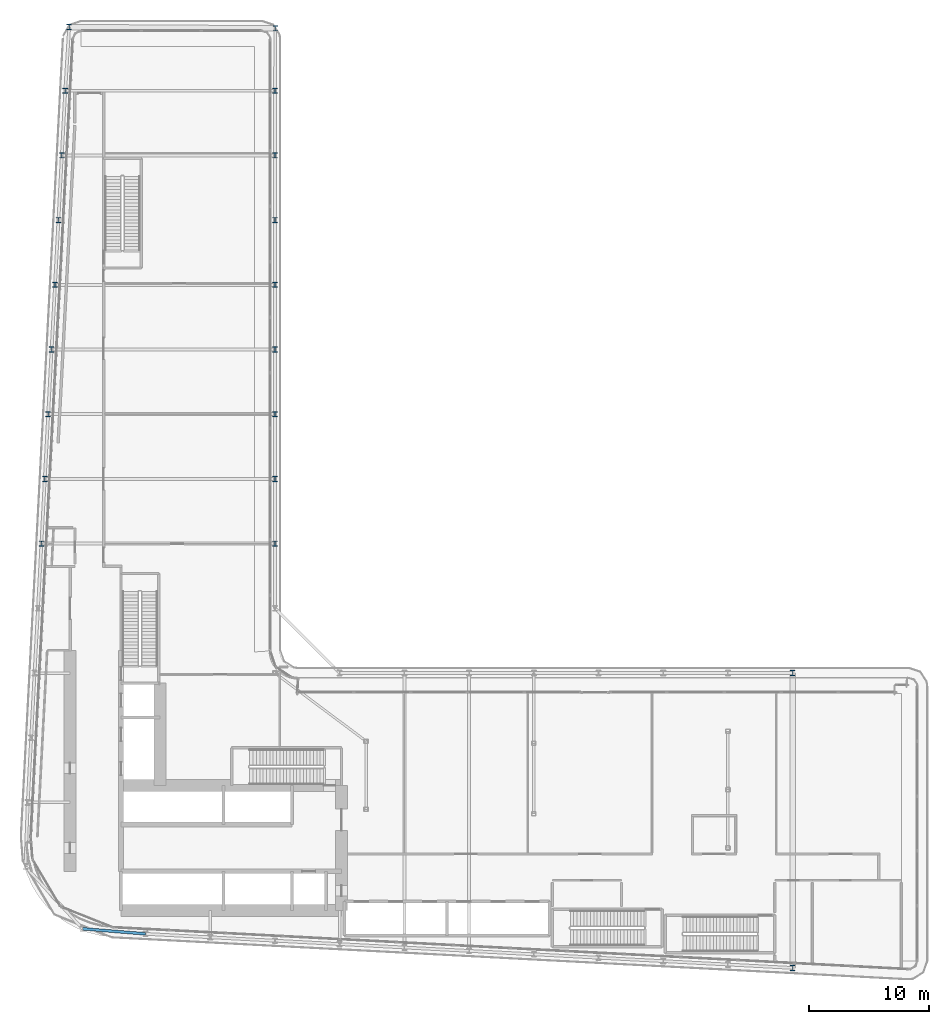
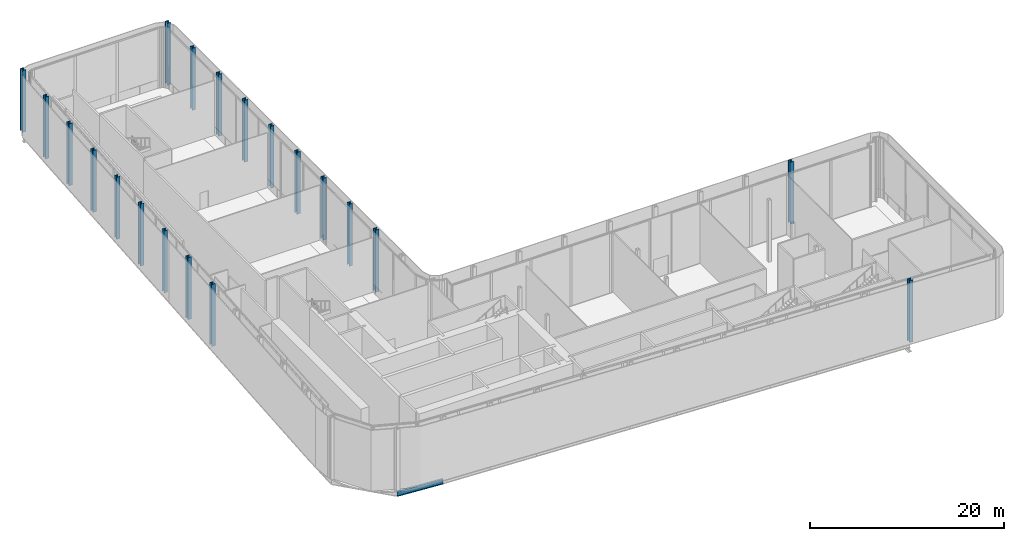
# One storey, part 3 of 36: 20 columns, 1 beam.
"""IFC4 building model written with IfcOpenShell, lengths in metres."""

from ifc_helpers import new_model, si_unit, direction, frame, origin, origin_2d, place, context, subcontext, project, spatial, i_section, extrude, material, material_profile, profile_set, type_object, element, save


model = new_model("IFC4")

# Units and contexts
model_context = context("Model", 3, precision=1e-05, world=origin(), true_north=direction((0.0, 1.0)))
body_context = subcontext(model_context, "Body", "Model", "MODEL_VIEW")
ifc_project = project(units=[si_unit("LENGTHUNIT", "METRE"), si_unit("AREAUNIT", "SQUARE_METRE"), si_unit("VOLUMEUNIT", "CUBIC_METRE"), si_unit("PLANEANGLEUNIT", "RADIAN"), si_unit("MASSUNIT", "GRAM", prefix="KILO")], contexts=[model_context])

# Site, building, storey
site_placement = place(None, origin())
site = spatial("IfcSite", under=ifc_project, at=site_placement, CompositionType="ELEMENT")
building_placement = place(site_placement, origin())
building = spatial("IfcBuilding", under=site, at=building_placement, Name="Kheshtan School and Residences Tower", CompositionType="ELEMENT")
storey_placement = place(building_placement, frame((0.0, 0.0, 81.199951171875)))
storey = spatial("IfcBuildingStorey", under=building, at=storey_placement, Name="L19", CompositionType="ELEMENT", Elevation=81.199951171875)

# Columns
ifc_material = material(Name="Steel ASTM A992 Grade 50", Category="steel")
ifc_material_profile_1 = material_profile(ifc_material, i_section(OverallWidth=0.424072265625, OverallDepth=0.47412109375, WebThickness=0.047607421875, FlangeThickness=0.0771484375, FilletRadius=0.01416015625, at=origin_2d()), Name="W360x634")
ifc_profile_set_1 = profile_set([ifc_material_profile_1], Name="Steel ASTM A992 Grade 50")
column_type = type_object("IfcColumnType", Name="Column C1 W360x634 ASTM A992 Grade 50", PredefinedType="COLUMN", material=ifc_profile_set_1)
for number, where, z_axis, x_axis, name in (
    (1, (90.800048828125, 20.989990234375, 0.0), (0.0, 0.0, 1.0), (1.0, 0.0, 0.0), "Column C006"),
    (2, (90.800048828125, 45.60009765625, 0.0), (0.0, 0.0, 1.0), (1.0, 0.0, 0.0), "Column C068"),
    (3, (28.10595703125, 56.39990234375, 0.0), (0.0, 0.0, 1.0), (1.0, 0.0, 0.0), "Column C080"),
    (4, (47.60009765625, 56.39990234375, 0.0), (0.0, 0.0, 1.0), (1.0, 0.0, 0.0), "Column C081"),
    (5, (28.389892578125, 61.800048828125, 0.0), (0.0, 0.0, 1.0), (1.0, 0.0, 0.0), "Column C082"),
    (6, (47.60009765625, 61.800048828125, 0.0), (0.0, 0.0, 1.0), (1.0, 0.0, 0.0), "Column C083"),
    (7, (28.674072265625, 67.199951171875, 0.0), (0.0, 0.0, 1.0), (1.0, 0.0, 0.0), "Column C084"),
    (8, (47.60009765625, 67.199951171875, 0.0), (0.0, 0.0, 1.0), (1.0, 0.0, 0.0), "Column C085"),
    (9, (28.9580078125, 72.60009765625, 0.0), (0.0, 0.0, 1.0), (1.0, 0.0, 0.0), "Column C086"),
    (10, (47.60009765625, 72.60009765625, 0.0), (0.0, 0.0, 1.0), (1.0, 0.0, 0.0), "Column C087"),
    (11, (29.242919921875, 78.0, 0.0), (0.0, 0.0, 1.0), (1.0, 0.0, 0.0), "Column C088"),
    (12, (47.60009765625, 78.0, 0.0), (0.0, 0.0, 1.0), (1.0, 0.0, 0.0), "Column C089"),
    (13, (29.527099609375, 83.39990234375, 0.0), (0.0, 0.0, 1.0), (1.0, 0.0, 0.0), "Column C090"),
    (14, (47.60009765625, 83.39990234375, 0.0), (0.0, 0.0, 1.0), (1.0, 0.0, 0.0), "Column C091"),
    (15, (29.81103515625, 88.800048828125, 0.0), (0.0, 0.0, 1.0), (1.0, 0.0, 0.0), "Column C098"),
    (16, (47.60009765625, 88.800048828125, 0.0), (0.0, 0.0, 1.0), (1.0, 0.0, 0.0), "Column C099"),
    (17, (30.094970703125, 94.199951171875, 0.0), (0.0, 0.0, 1.0), (1.0, 0.0, 0.0), "Column C106"),
    (18, (47.60009765625, 94.199951171875, 0.0), (0.0, 0.0, 1.0), (1.0, 0.0, 0.0), "Column C107"),
    (19, (47.6298828125, 99.402099609375, 0.0), (0.0, 0.0, 1.0), (1.0, 0.0, 0.0), "Column C113"),
    (20, (30.424072265625, 99.510009765625, 0.0), (0.0, 0.0, 1.0), (1.0, 0.0, 0.0), "Column C121"),
):
    element("IfcColumn", number, at=place(storey_placement, frame(where, z_axis=z_axis, x_axis=x_axis)), inside=storey, type_object=column_type, Name=name, PredefinedType="COLUMN", context=body_context, shape_type="SweptSolid", body=[
        extrude(i_section(OverallWidth=0.424072265625, OverallDepth=0.47412109375, WebThickness=0.047607421875, FlangeThickness=0.0771484375, FilletRadius=0.01416015625, at=origin_2d()), origin(), (0.0, 0.0, 1.0), 7.800048828125),
    ])

# Beam
ifc_material_profile_2 = material_profile(ifc_material, i_section(OverallWidth=0.22998046875, OverallDepth=0.616943359375, WebThickness=0.01318359375, FlangeThickness=0.022216796875, FilletRadius=0.0185546875, at=origin_2d()), Name="W610x140")
ifc_profile_set_2 = profile_set([ifc_material_profile_2], Name="Steel ASTM A992 Grade 50")
beam_type = type_object("IfcBeamType", Name="Beam SP1 W610x140 ASTM A992 Grade 50", PredefinedType="BEAM", material=ifc_profile_set_2)
beam_placement = place(storey_placement, frame((36.800048828125, 23.83203125, -0.45849609375), z_axis=(-0.996748565693, 0.08057479003, 0.0), x_axis=(-0.08057479003, -0.996748565693, 0.0)))
element("IfcBeam", 21, at=beam_placement, inside=storey, type_object=beam_type, Name="Spandrel beam C022-C025", PredefinedType="BEAM", context=body_context, shape_type="SweptSolid", body=[
    extrude(i_section(OverallWidth=0.22998046875, OverallDepth=0.616943359375, WebThickness=0.01318359375, FlangeThickness=0.022216796875, FilletRadius=0.0185546875, at=origin_2d()), origin(), (0.0, 0.0, 1.0), 5.275146484375),
])

save(model, "model.ifc")
